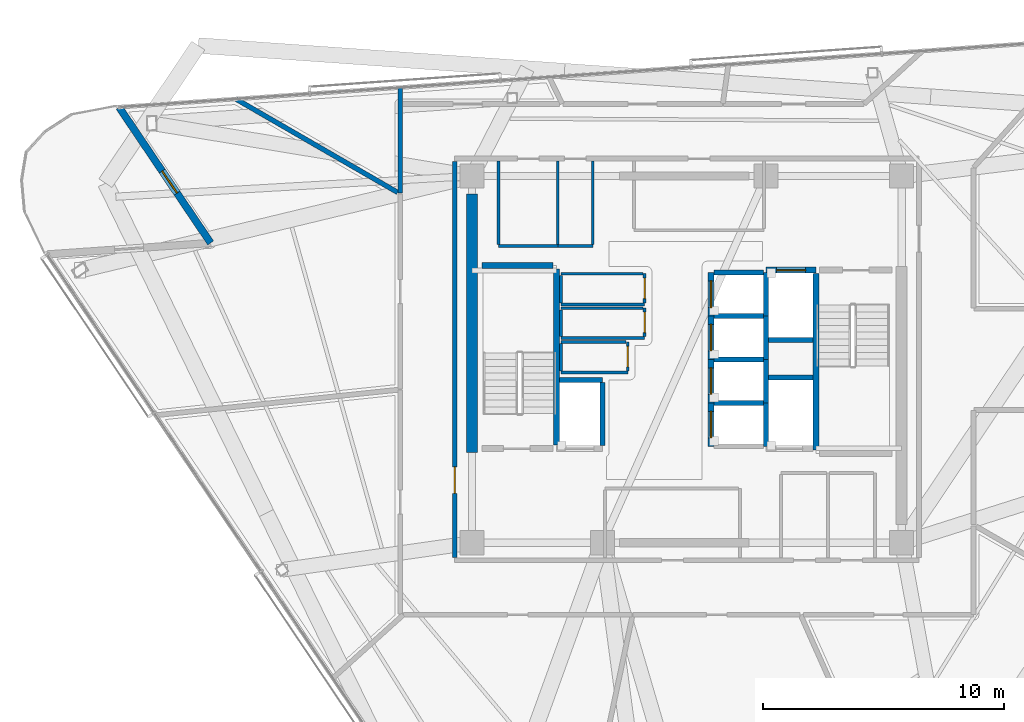
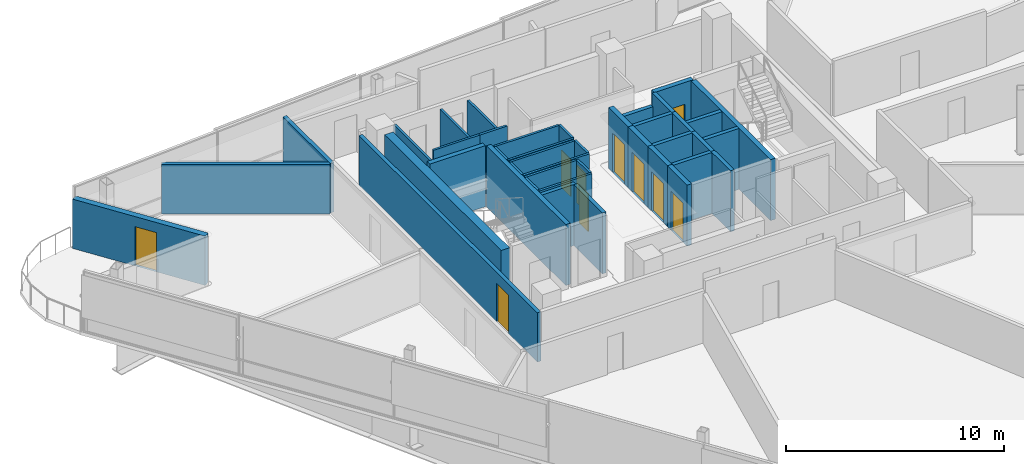
# One storey, part 11 of 17: 42 walls, 10 doors, 10 openings.
"""IFC4 building model written with IfcOpenShell, lengths in metres."""

from ifc_helpers import new_model, si_unit, direction, frame, frame_2d, origin, place, context, subcontext, project, spatial, rectangle, extrude, material, layer, layer_set, type_object, element, fill, save


model = new_model("IFC4")

# Units and contexts
model_context = context("Model", 3, precision=1e-05, world=origin(), true_north=direction((0.0, 1.0)))
body_context = subcontext(model_context, "Body", "Model", "MODEL_VIEW")
ifc_project = project(units=[si_unit("LENGTHUNIT", "METRE"), si_unit("AREAUNIT", "SQUARE_METRE"), si_unit("VOLUMEUNIT", "CUBIC_METRE"), si_unit("PLANEANGLEUNIT", "RADIAN"), si_unit("MASSUNIT", "GRAM", prefix="KILO")], contexts=[model_context])

# Site, building, storey
site_placement = place(None, origin())
site = spatial("IfcSite", under=ifc_project, at=site_placement, CompositionType="ELEMENT")
building_placement = place(site_placement, origin())
building = spatial("IfcBuilding", under=site, at=building_placement, Name="Tharavind Bronze Gate", CompositionType="ELEMENT")
storey_placement = place(building_placement, frame((0.0, 0.0, 253.39990234375)))
storey = spatial("IfcBuildingStorey", under=building, at=storey_placement, Name="L65", CompositionType="ELEMENT", Elevation=253.39990234375)

# Wall, opening, door
ifc_material_1 = material(Name="Concrete C40/50", Category="concrete")
ifc_layer_1 = layer(ifc_material_1, 0.300048828125)
ifc_layer_set_1 = layer_set([ifc_layer_1], Name="Concrete C40/50")
wall_type_1 = type_object("IfcWallType", Name="EXTERIOR SPANDREL WALL 300", PredefinedType="STANDARD", material=ifc_layer_set_1)
wall_1_placement = place(storey_placement, frame((-23.52587890625, 10.446044921875, 0.0), z_axis=(0.0, 0.0, 1.0), x_axis=(0.559187716425, -0.829041071238, 0.0)))
wall_1 = element("IfcWall", 1, at=wall_1_placement, inside=storey, type_object=wall_type_1, Name="L65 notch cheek wall 1A", PredefinedType="STANDARD", context=body_context, shape_type="SweptSolid", body=[
    extrude(rectangle(XDim=6.780029296875, YDim=0.300048828125, at=frame_2d((3.39013671875, 0.0))), origin(), (0.0, 0.0, 1.0), 2.76513671875),
])
opening_1_placement = place(wall_1_placement, frame((3.18603515625, 0.0, 0.0)))
opening_1 = element("IfcOpeningElement", 2, at=opening_1_placement, cuts=wall_1, Name="Opening ED04", PredefinedType="OPENING", context=body_context, shape_type="SweptSolid", body=[
    extrude(rectangle(XDim=1.10009765625, YDim=2.199951171875, at=frame_2d((0.550048828125, 1.10009765625))), frame((0.0, 0.15990234375, 0.0), z_axis=(0.0, -1.0, 0.0), x_axis=(1.0, 0.0, 0.0)), (0.0, 0.0, 1.0), 0.320048828125),
])
ifc_material_2 = material(Name="Bronze Aluminium & Toughened Glass", Category="aluminium")
door_type_1 = type_object("IfcDoorType", Name="TREE BALCONY ACCESS DOOR 1100X2200", OperationType="SINGLE_SWING_LEFT", PredefinedType="DOOR", material=ifc_material_2)
door_1_placement = place(opening_1_placement, frame((1.10009765625, 0.0, 0.0), z_axis=(0.0, 0.0, 1.0), x_axis=(-1.0, 0.0, 0.0)))
door_1 = element("IfcDoor", 3, at=door_1_placement, inside=storey, type_object=door_type_1, Name="L65 tree balcony access door", OperationType="SINGLE_SWING_LEFT", OverallHeight=2.199951171875, OverallWidth=1.10009765625, PredefinedType="DOOR", context=body_context, shape_type="SweptSolid", body=[
    extrude(rectangle(XDim=1.10009765625, YDim=2.199951171875, at=frame_2d((0.550048828125, 1.10009765625))), frame((0.0, 0.02490234375, 0.0), z_axis=(0.0, -1.0, 0.0), x_axis=(1.0, 0.0, 0.0)), (0.0, 0.0, 1.0), 0.050048828125),
])
fill(opening_1, door_1)

ifc_material_3 = material(Name="Aerated Concrete Block", Category="concrete")
ifc_layer_2 = layer(ifc_material_3, 0.199951171875)
ifc_layer_set_2 = layer_set([ifc_layer_2], Name="Aerated Concrete Block")
wall_type_2 = type_object("IfcWallType", Name="FIRE RATED PARTITION 200", PredefinedType="PARTITIONING", material=ifc_layer_set_2)
wall_2_placement = place(storey_placement, frame((-9.6201171875, 8.199951171875, 0.0), z_axis=(0.0, 0.0, 1.0), x_axis=(0.0, -1.0, 0.0)))
wall_2 = element("IfcWall", 4, at=wall_2_placement, inside=storey, type_object=wall_type_2, Name="L65 west core corridor wall", PredefinedType="PARTITIONING", context=body_context, shape_type="SweptSolid", body=[
    extrude(rectangle(XDim=16.39990234375, YDim=0.199951171875, at=frame_2d((8.199951171875, 0.0))), origin(), (0.0, 0.0, 1.0), 2.76513671875),
])
opening_2_placement = place(wall_2_placement, frame((12.64990234375, 0.0, 0.0)))
opening_2 = element("IfcOpeningElement", 5, at=opening_2_placement, cuts=wall_2, Name="Opening ID01", PredefinedType="OPENING", context=body_context, shape_type="SweptSolid", body=[
    extrude(rectangle(XDim=1.10009765625, YDim=2.14990234375, at=frame_2d((0.550048828125, 1.074951171875))), frame((0.0, 0.11009765625, 0.0), z_axis=(0.0, -1.0, 0.0), x_axis=(1.0, 0.0, 0.0)), (0.0, 0.0, 1.0), 0.219951171875),
])
ifc_material_4 = material(Name="Fire-Rated Steel", Category="steel")
door_type_2 = type_object("IfcDoorType", Name="STAIR CORE FIRE DOOR 1100X2150", OperationType="SINGLE_SWING_LEFT", PredefinedType="DOOR", material=ifc_material_4)
door_2_placement = place(opening_2_placement, frame((1.10009765625, 0.0, 0.0), z_axis=(0.0, 0.0, 1.0), x_axis=(-1.0, 0.0, 0.0)))
door_2 = element("IfcDoor", 6, at=door_2_placement, inside=storey, type_object=door_type_2, Name="L65 south west stair lobby fire door", OperationType="SINGLE_SWING_LEFT", OverallHeight=2.14990234375, OverallWidth=1.10009765625, PredefinedType="DOOR", context=body_context, shape_type="SweptSolid", body=[
    extrude(rectangle(XDim=1.10009765625, YDim=2.14990234375, at=frame_2d((0.550048828125, 1.074951171875))), frame((0.0, 0.02490234375, 0.0), z_axis=(0.0, -1.0, 0.0), x_axis=(1.0, 0.0, 0.0)), (0.0, 0.0, 1.0), 0.050048828125),
])
fill(opening_2, door_2)

# Walls
wall_3_placement = place(storey_placement, frame((-11.8798828125, 11.260498046875, 0.0), z_axis=(0.0, 0.0, 1.0), x_axis=(0.0, -1.0, 0.0)))
element("IfcWall", 7, at=wall_3_placement, inside=storey, type_object=wall_type_2, Name="L65 Strategy Seminar Room partition", PredefinedType="PARTITIONING", context=body_context, shape_type="SweptSolid", body=[
    extrude(rectangle(XDim=4.3583984375, YDim=0.199951171875, at=frame_2d((2.17919921875, 0.0))), origin(), (0.0, 0.0, 1.0), 2.76513671875),
])
wall_4_placement = place(storey_placement, frame((-11.985107421875, 6.919677734375, 0.0), z_axis=(0.0, 0.0, 1.0), x_axis=(-0.866026758741, 0.499997653139, 0.0)))
element("IfcWall", 8, at=wall_4_placement, inside=storey, type_object=wall_type_2, Name="L65 Strategy Seminar Room partition", PredefinedType="PARTITIONING", context=body_context, shape_type="SweptSolid", body=[
    extrude(rectangle(XDim=7.73046875, YDim=0.199951171875, at=frame_2d((3.865234375, 0.0))), origin(), (0.0, 0.0, 1.0), 2.76513671875),
])
ifc_material_5 = material(Name="Metal Stud Gypsum Partition", Category="gypsum")
ifc_layer_3 = layer(ifc_material_5, 0.1201171875)
ifc_layer_set_3 = layer_set([ifc_layer_3], Name="Metal Stud Gypsum Partition")
wall_type_3 = type_object("IfcWallType", Name="INTERIOR PARTITION WALL 120", PredefinedType="PARTITIONING", material=ifc_layer_set_3)
wall_5_placement = place(storey_placement, frame((-5.219970703125, 2.280029296875, 0.0), z_axis=(0.0, 0.0, 1.0), x_axis=(1.0, 0.0, 0.0)))
element("IfcWall", 9, at=wall_5_placement, inside=storey, type_object=wall_type_3, Name="L65 Housekeeping Linen Store partition 1", PredefinedType="PARTITIONING", context=body_context, shape_type="SweptSolid", body=[
    extrude(rectangle(XDim=3.469970703125, YDim=0.1201171875, at=frame_2d((1.73486328125, 0.0))), origin(), (0.0, 0.0, 1.0), 3.420166015625),
])

# Wall, opening, door
wall_6_placement = place(storey_placement, frame((-1.75, 2.344970703125, 0.0), z_axis=(0.0, 0.0, 1.0), x_axis=(0.0, 1.0, 0.0)))
wall_6 = element("IfcWall", 10, at=wall_6_placement, inside=storey, type_object=wall_type_3, Name="L65 Housekeeping Linen Store partition 2", PredefinedType="PARTITIONING", context=body_context, shape_type="SweptSolid", body=[
    extrude(rectangle(XDim=1.205078125, YDim=0.1201171875, at=frame_2d((0.6025390625, 0.0))), origin(), (0.0, 0.0, 1.0), 3.420166015625),
])
opening_3_placement = place(wall_6_placement, frame((0.177001953125, 0.0, 0.0)))
opening_3 = element("IfcOpeningElement", 11, at=opening_3_placement, cuts=wall_6, Name="Opening ID06", PredefinedType="OPENING", context=body_context, shape_type="SweptSolid", body=[
    extrude(rectangle(XDim=0.85009765625, YDim=2.10009765625, at=frame_2d((0.425048828125, 1.050048828125))), frame((0.0, 0.07005859375, 0.0), z_axis=(0.0, -1.0, 0.0), x_axis=(1.0, 0.0, 0.0)), (0.0, 0.0, 1.0), 0.1401171875),
])
ifc_material_6 = material(Name="Moisture-Resistant Timber", Category="wood")
door_type_3 = type_object("IfcDoorType", Name="BATHROOM PRIVACY DOOR 850X2100", OperationType="SINGLE_SWING_RIGHT", PredefinedType="DOOR", material=ifc_material_6)
door_3_placement = place(opening_3_placement, frame((0.85009765625, 0.0, 0.0), z_axis=(0.0, 0.0, 1.0), x_axis=(-1.0, 0.0, 0.0)))
door_3 = element("IfcDoor", 12, at=door_3_placement, inside=storey, type_object=door_type_3, Name="L65 Housekeeping Linen Store door", OperationType="SINGLE_SWING_RIGHT", OverallHeight=2.10009765625, OverallWidth=0.85009765625, PredefinedType="DOOR", context=body_context, shape_type="SweptSolid", body=[
    extrude(rectangle(XDim=0.85009765625, YDim=2.10009765625, at=frame_2d((0.425048828125, 1.050048828125))), frame((0.0, 0.02490234375, 0.0), z_axis=(0.0, -1.0, 0.0), x_axis=(1.0, 0.0, 0.0)), (0.0, 0.0, 1.0), 0.050048828125),
])
fill(opening_3, door_3)

# Walls
wall_7_placement = place(storey_placement, frame((-1.81494140625, 3.550048828125, 0.0), z_axis=(0.0, 0.0, 1.0), x_axis=(-1.0, 0.0, 0.0)))
element("IfcWall", 13, at=wall_7_placement, inside=storey, type_object=wall_type_3, Name="L65 Housekeeping Linen Store partition 3", PredefinedType="PARTITIONING", context=body_context, shape_type="SweptSolid", body=[
    extrude(rectangle(XDim=3.405029296875, YDim=0.1201171875, at=frame_2d((1.70263671875, 0.0))), origin(), (0.0, 0.0, 1.0), 3.420166015625),
])
wall_8_placement = place(storey_placement, frame((-5.219970703125, 3.485107421875, 0.0), z_axis=(0.0, 0.0, 1.0), x_axis=(0.0, -1.0, 0.0)))
element("IfcWall", 14, at=wall_8_placement, inside=storey, type_object=wall_type_3, Name="L65 Housekeeping Linen Store partition 4", PredefinedType="PARTITIONING", context=body_context, shape_type="SweptSolid", body=[
    extrude(rectangle(XDim=1.14013671875, YDim=0.1201171875, at=frame_2d((0.570068359375, 0.0))), origin(), (0.0, 0.0, 1.0), 3.420166015625),
])
wall_9_placement = place(storey_placement, frame((-5.219970703125, 0.8798828125, 0.0), z_axis=(0.0, 0.0, 1.0), x_axis=(1.0, 0.0, 0.0)))
element("IfcWall", 15, at=wall_9_placement, inside=storey, type_object=wall_type_3, Name="L65 Comms Data Room partition 1", PredefinedType="PARTITIONING", context=body_context, shape_type="SweptSolid", body=[
    extrude(rectangle(XDim=3.469970703125, YDim=0.1201171875, at=frame_2d((1.73486328125, 0.0))), origin(), (0.0, 0.0, 1.0), 3.420166015625),
])

# Wall, opening, door
wall_10_placement = place(storey_placement, frame((-1.75, 0.945068359375, 0.0), z_axis=(0.0, 0.0, 1.0), x_axis=(0.0, 1.0, 0.0)))
wall_10 = element("IfcWall", 16, at=wall_10_placement, inside=storey, type_object=wall_type_3, Name="L65 Comms Data Room partition 2", PredefinedType="PARTITIONING", context=body_context, shape_type="SweptSolid", body=[
    extrude(rectangle(XDim=1.175048828125, YDim=0.1201171875, at=frame_2d((0.58740234375, 0.0))), origin(), (0.0, 0.0, 1.0), 3.420166015625),
])
opening_4_placement = place(wall_10_placement, frame((0.1630859375, 0.0, 0.0)))
opening_4 = element("IfcOpeningElement", 17, at=opening_4_placement, cuts=wall_10, Name="Opening ID06", PredefinedType="OPENING", context=body_context, shape_type="SweptSolid", body=[
    extrude(rectangle(XDim=0.85009765625, YDim=2.10009765625, at=frame_2d((0.425048828125, 1.050048828125))), frame((0.0, 0.07005859375, 0.0), z_axis=(0.0, -1.0, 0.0), x_axis=(1.0, 0.0, 0.0)), (0.0, 0.0, 1.0), 0.1401171875),
])
door_4_placement = place(opening_4_placement, frame((0.85009765625, 0.0, 0.0), z_axis=(0.0, 0.0, 1.0), x_axis=(-1.0, 0.0, 0.0)))
door_4 = element("IfcDoor", 18, at=door_4_placement, inside=storey, type_object=door_type_3, Name="L65 Comms Data Room door", OperationType="SINGLE_SWING_RIGHT", OverallHeight=2.10009765625, OverallWidth=0.85009765625, PredefinedType="DOOR", context=body_context, shape_type="SweptSolid", body=[
    extrude(rectangle(XDim=0.85009765625, YDim=2.10009765625, at=frame_2d((0.425048828125, 1.050048828125))), frame((0.0, 0.02490234375, 0.0), z_axis=(0.0, -1.0, 0.0), x_axis=(1.0, 0.0, 0.0)), (0.0, 0.0, 1.0), 0.050048828125),
])
fill(opening_4, door_4)

# Walls
wall_11_placement = place(storey_placement, frame((-1.81494140625, 2.1201171875, 0.0), z_axis=(0.0, 0.0, 1.0), x_axis=(-1.0, 0.0, 0.0)))
element("IfcWall", 19, at=wall_11_placement, inside=storey, type_object=wall_type_3, Name="L65 Comms Data Room partition 3", PredefinedType="PARTITIONING", context=body_context, shape_type="SweptSolid", body=[
    extrude(rectangle(XDim=3.405029296875, YDim=0.1201171875, at=frame_2d((1.70263671875, 0.0))), origin(), (0.0, 0.0, 1.0), 3.420166015625),
])
wall_12_placement = place(storey_placement, frame((-5.219970703125, 2.054931640625, 0.0), z_axis=(0.0, 0.0, 1.0), x_axis=(0.0, -1.0, 0.0)))
element("IfcWall", 20, at=wall_12_placement, inside=storey, type_object=wall_type_3, Name="L65 Comms Data Room partition 4", PredefinedType="PARTITIONING", context=body_context, shape_type="SweptSolid", body=[
    extrude(rectangle(XDim=1.10986328125, YDim=0.1201171875, at=frame_2d((0.554931640625, 0.0))), origin(), (0.0, 0.0, 1.0), 3.420166015625),
])
wall_13_placement = place(storey_placement, frame((-5.219970703125, -0.550048828125, 0.0), z_axis=(0.0, 0.0, 1.0), x_axis=(1.0, 0.0, 0.0)))
element("IfcWall", 21, at=wall_13_placement, inside=storey, type_object=wall_type_3, Name="L65 Electrical Metering Store partition 1", PredefinedType="PARTITIONING", context=body_context, shape_type="SweptSolid", body=[
    extrude(rectangle(XDim=2.77001953125, YDim=0.1201171875, at=frame_2d((1.385009765625, 0.0))), origin(), (0.0, 0.0, 1.0), 3.420166015625),
])

# Wall, opening, door
wall_14_placement = place(storey_placement, frame((-2.449951171875, -0.485107421875, 0.0), z_axis=(0.0, 0.0, 1.0), x_axis=(0.0, 1.0, 0.0)))
wall_14 = element("IfcWall", 22, at=wall_14_placement, inside=storey, type_object=wall_type_3, Name="L65 Electrical Metering Store partition 2", PredefinedType="PARTITIONING", context=body_context, shape_type="SweptSolid", body=[
    extrude(rectangle(XDim=1.205078125, YDim=0.1201171875, at=frame_2d((0.6025390625, 0.0))), origin(), (0.0, 0.0, 1.0), 3.420166015625),
])
opening_5_placement = place(wall_14_placement, frame((0.177978515625, 0.0, 0.0)))
opening_5 = element("IfcOpeningElement", 23, at=opening_5_placement, cuts=wall_14, Name="Opening ID06", PredefinedType="OPENING", context=body_context, shape_type="SweptSolid", body=[
    extrude(rectangle(XDim=0.85009765625, YDim=2.10009765625, at=frame_2d((0.425048828125, 1.050048828125))), frame((0.0, 0.07005859375, 0.0), z_axis=(0.0, -1.0, 0.0), x_axis=(1.0, 0.0, 0.0)), (0.0, 0.0, 1.0), 0.1401171875),
])
door_5_placement = place(opening_5_placement, frame((0.85009765625, 0.0, 0.0), z_axis=(0.0, 0.0, 1.0), x_axis=(-1.0, 0.0, 0.0)))
door_5 = element("IfcDoor", 24, at=door_5_placement, inside=storey, type_object=door_type_3, Name="L65 Electrical Metering Store door", OperationType="SINGLE_SWING_RIGHT", OverallHeight=2.10009765625, OverallWidth=0.85009765625, PredefinedType="DOOR", context=body_context, shape_type="SweptSolid", body=[
    extrude(rectangle(XDim=0.85009765625, YDim=2.10009765625, at=frame_2d((0.425048828125, 1.050048828125))), frame((0.0, 0.02490234375, 0.0), z_axis=(0.0, -1.0, 0.0), x_axis=(1.0, 0.0, 0.0)), (0.0, 0.0, 1.0), 0.050048828125),
])
fill(opening_5, door_5)

# Walls
wall_15_placement = place(storey_placement, frame((-2.514892578125, 0.719970703125, 0.0), z_axis=(0.0, 0.0, 1.0), x_axis=(-1.0, 0.0, 0.0)))
element("IfcWall", 25, at=wall_15_placement, inside=storey, type_object=wall_type_3, Name="L65 Electrical Metering Store partition 3", PredefinedType="PARTITIONING", context=body_context, shape_type="SweptSolid", body=[
    extrude(rectangle(XDim=2.705078125, YDim=0.1201171875, at=frame_2d((1.3525390625, 0.0))), origin(), (0.0, 0.0, 1.0), 3.420166015625),
])
wall_16_placement = place(storey_placement, frame((-5.219970703125, 0.655029296875, 0.0), z_axis=(0.0, 0.0, 1.0), x_axis=(0.0, -1.0, 0.0)))
element("IfcWall", 26, at=wall_16_placement, inside=storey, type_object=wall_type_3, Name="L65 Electrical Metering Store partition 4", PredefinedType="PARTITIONING", context=body_context, shape_type="SweptSolid", body=[
    extrude(rectangle(XDim=1.14013671875, YDim=0.1201171875, at=frame_2d((0.570068359375, 0.0))), origin(), (0.0, 0.0, 1.0), 3.420166015625),
])
wall_17_placement = place(storey_placement, frame((-7.800048828125, 4.699951171875, 0.0), z_axis=(0.0, 0.0, 1.0), x_axis=(1.0, 0.0, 0.0)))
element("IfcWall", 27, at=wall_17_placement, inside=storey, type_object=wall_type_3, Name="L65 Electrical Metering Room partition 1", PredefinedType="PARTITIONING", context=body_context, shape_type="SweptSolid", body=[
    extrude(rectangle(XDim=2.449951171875, YDim=0.1201171875, at=frame_2d((1.22509765625, 0.0))), origin(), (0.0, 0.0, 1.0), 3.420166015625),
])
for number, where, z_axis, x_axis, name in (
    (28, (-5.35009765625, 4.764892578125, 0.0), (0.0, 0.0, 1.0), (0.0, 1.0, 0.0), "L65 Electrical Metering Room partition 2"),
    (29, (-7.800048828125, 8.215087890625, 0.0), (0.0, 0.0, 1.0), (0.0, -1.0, 0.0), "L65 Electrical Metering Room partition 4"),
):
    element("IfcWall", number, at=place(storey_placement, frame(where, z_axis=z_axis, x_axis=x_axis)), inside=storey, type_object=wall_type_3, Name=name, PredefinedType="PARTITIONING", context=body_context, shape_type="SweptSolid", body=[
        extrude(rectangle(XDim=3.4501953125, YDim=0.1201171875, at=frame_2d((1.72509765625, 0.0))), origin(), (0.0, 0.0, 1.0), 2.715087890625),
    ])
wall_18_placement = place(storey_placement, frame((-5.35009765625, 4.699951171875, 0.0), z_axis=(0.0, 0.0, 1.0), x_axis=(1.0, 0.0, 0.0)))
element("IfcWall", 30, at=wall_18_placement, inside=storey, type_object=wall_type_3, Name="L65 Linen Cupboard partition 1", PredefinedType="PARTITIONING", context=body_context, shape_type="SweptSolid", body=[
    extrude(rectangle(XDim=1.4501953125, YDim=0.1201171875, at=frame_2d((0.72509765625, 0.0))), origin(), (0.0, 0.0, 1.0), 3.420166015625),
])
wall_19_placement = place(storey_placement, frame((-3.89990234375, 4.764892578125, 0.0), z_axis=(0.0, 0.0, 1.0), x_axis=(0.0, 1.0, 0.0)))
element("IfcWall", 31, at=wall_19_placement, inside=storey, type_object=wall_type_3, Name="L65 Linen Cupboard partition 2", PredefinedType="PARTITIONING", context=body_context, shape_type="SweptSolid", body=[
    extrude(rectangle(XDim=3.4501953125, YDim=0.1201171875, at=frame_2d((1.72509765625, 0.0))), origin(), (0.0, 0.0, 1.0), 2.715087890625),
])
ifc_material_7 = material(Name="Concrete C50/60", Category="concrete")
ifc_layer_4 = layer(ifc_material_7, 0.25)
ifc_layer_set_4 = layer_set([ifc_layer_4], Name="Concrete C50/60")
wall_type_4 = type_object("IfcWallType", Name="RC CORE SHEAR WALL 250", PredefinedType="SHEAR", material=ifc_layer_set_4)
wall_20_placement = place(storey_placement, frame((-5.39990234375, -3.550048828125, 0.0), z_axis=(0.0, 0.0, 1.0), x_axis=(0.0, 1.0, 0.0)))
element("IfcWall", 32, at=wall_20_placement, inside=storey, type_object=wall_type_4, Name="L65 ST1 shaft east wall", PredefinedType="SHEAR", context=body_context, shape_type="SweptSolid", body=[
    extrude(rectangle(XDim=7.300048828125, YDim=0.25, at=frame_2d((3.64990234375, 0.0))), origin(), (0.0, 0.0, 1.0), 3.420166015625),
])
wall_21_placement = place(storey_placement, frame((-8.5, 3.89990234375, 0.0), z_axis=(0.0, 0.0, 1.0), x_axis=(1.0, 0.0, 0.0)))
element("IfcWall", 33, at=wall_21_placement, inside=storey, type_object=wall_type_4, Name="L65 ST1 shaft north wall", PredefinedType="SHEAR", context=body_context, shape_type="SweptSolid", body=[
    extrude(rectangle(XDim=2.949951171875, YDim=0.25, at=frame_2d((1.47509765625, 0.0))), origin(), (0.0, 0.0, 1.0), 3.420166015625),
])
wall_22_placement = place(storey_placement, frame((5.35009765625, -3.75, 0.0), z_axis=(0.0, 0.0, 1.0), x_axis=(0.0, 1.0, 0.0)))
element("IfcWall", 34, at=wall_22_placement, inside=storey, type_object=wall_type_4, Name="L65 ST2 shaft west wall", PredefinedType="SHEAR", context=body_context, shape_type="SweptSolid", body=[
    extrude(rectangle(XDim=7.300048828125, YDim=0.25, at=frame_2d((3.64990234375, 0.0))), origin(), (0.0, 0.0, 1.0), 3.420166015625),
])

# Wall, opening, door
wall_23_placement = place(storey_placement, frame((1.0, -3.60009765625, 0.0), z_axis=(0.0, 0.0, 1.0), x_axis=(0.0, 1.0, 0.0)))
wall_23 = element("IfcWall", 35, at=wall_23_placement, inside=storey, type_object=wall_type_4, Name="L65 lift PL9 shaft front wall", PredefinedType="SHEAR", context=body_context, shape_type="SweptSolid", body=[
    extrude(rectangle(XDim=1.800048828125, YDim=0.25, at=frame_2d((0.89990234375, 0.0))), origin(), (0.0, 0.0, 1.0), 3.420166015625),
])
opening_6_placement = place(wall_23_placement, frame((0.35009765625, 0.0, 0.0)))
opening_6 = element("IfcOpeningElement", 36, at=opening_6_placement, cuts=wall_23, Name="Opening LD01", PredefinedType="OPENING", context=body_context, shape_type="SweptSolid", body=[
    extrude(rectangle(XDim=1.10009765625, YDim=2.199951171875, at=frame_2d((0.550048828125, 1.10009765625))), frame((0.0, 0.135, 0.0), z_axis=(0.0, -1.0, 0.0), x_axis=(1.0, 0.0, 0.0)), (0.0, 0.0, 1.0), 0.27),
])
ifc_material_8 = material(Name="Brushed Bronze Stainless Steel", Category="steel")
door_type_4 = type_object("IfcDoorType", Name="LIFT LANDING SLIDING DOOR 1100X2200", OperationType="SLIDING_TO_LEFT", PredefinedType="DOOR", material=ifc_material_8)
door_6_placement = place(opening_6_placement, origin())
door_6 = element("IfcDoor", 37, at=door_6_placement, inside=storey, type_object=door_type_4, Name="L65 lift PL9 sliding landing door", OperationType="SLIDING_TO_LEFT", OverallHeight=2.199951171875, OverallWidth=1.10009765625, PredefinedType="DOOR", context=body_context, shape_type="SweptSolid", body=[
    extrude(rectangle(XDim=1.10009765625, YDim=2.199951171875, at=frame_2d((0.550048828125, 1.10009765625))), frame((0.0, 0.02490234375, 0.0), z_axis=(0.0, -1.0, 0.0), x_axis=(1.0, 0.0, 0.0)), (0.0, 0.0, 1.0), 0.050048828125),
])
fill(opening_6, door_6)

wall_24_placement = place(storey_placement, frame((1.0, -1.800048828125, 0.0), z_axis=(0.0, 0.0, 1.0), x_axis=(0.0, 1.0, 0.0)))
wall_24 = element("IfcWall", 38, at=wall_24_placement, inside=storey, type_object=wall_type_4, Name="L65 lift PL10 shaft front wall", PredefinedType="SHEAR", context=body_context, shape_type="SweptSolid", body=[
    extrude(rectangle(XDim=1.800048828125, YDim=0.25, at=frame_2d((0.89990234375, 0.0))), origin(), (0.0, 0.0, 1.0), 3.420166015625),
])
opening_7_placement = place(wall_24_placement, frame((0.35009765625, 0.0, 0.0)))
opening_7 = element("IfcOpeningElement", 39, at=opening_7_placement, cuts=wall_24, Name="Opening LD01", PredefinedType="OPENING", context=body_context, shape_type="SweptSolid", body=[
    extrude(rectangle(XDim=1.10009765625, YDim=2.199951171875, at=frame_2d((0.550048828125, 1.10009765625))), frame((0.0, 0.135, 0.0), z_axis=(0.0, -1.0, 0.0), x_axis=(1.0, 0.0, 0.0)), (0.0, 0.0, 1.0), 0.27),
])
door_7_placement = place(opening_7_placement, origin())
door_7 = element("IfcDoor", 40, at=door_7_placement, inside=storey, type_object=door_type_4, Name="L65 lift PL10 sliding landing door", OperationType="SLIDING_TO_LEFT", OverallHeight=2.199951171875, OverallWidth=1.10009765625, PredefinedType="DOOR", context=body_context, shape_type="SweptSolid", body=[
    extrude(rectangle(XDim=1.10009765625, YDim=2.199951171875, at=frame_2d((0.550048828125, 1.10009765625))), frame((0.0, 0.02490234375, 0.0), z_axis=(0.0, -1.0, 0.0), x_axis=(1.0, 0.0, 0.0)), (0.0, 0.0, 1.0), 0.050048828125),
])
fill(opening_7, door_7)

wall_25_placement = place(storey_placement, frame((1.0, 0.0, 0.0), z_axis=(0.0, 0.0, 1.0), x_axis=(0.0, 1.0, 0.0)))
wall_25 = element("IfcWall", 41, at=wall_25_placement, inside=storey, type_object=wall_type_4, Name="L65 lift PL11 shaft front wall", PredefinedType="SHEAR", context=body_context, shape_type="SweptSolid", body=[
    extrude(rectangle(XDim=1.800048828125, YDim=0.25, at=frame_2d((0.89990234375, 0.0))), origin(), (0.0, 0.0, 1.0), 3.420166015625),
])
opening_8_placement = place(wall_25_placement, frame((0.35009765625, 0.0, 0.0)))
opening_8 = element("IfcOpeningElement", 42, at=opening_8_placement, cuts=wall_25, Name="Opening LD01", PredefinedType="OPENING", context=body_context, shape_type="SweptSolid", body=[
    extrude(rectangle(XDim=1.10009765625, YDim=2.199951171875, at=frame_2d((0.550048828125, 1.10009765625))), frame((0.0, 0.135, 0.0), z_axis=(0.0, -1.0, 0.0), x_axis=(1.0, 0.0, 0.0)), (0.0, 0.0, 1.0), 0.27),
])
door_8_placement = place(opening_8_placement, origin())
door_8 = element("IfcDoor", 43, at=door_8_placement, inside=storey, type_object=door_type_4, Name="L65 lift PL11 sliding landing door", OperationType="SLIDING_TO_LEFT", OverallHeight=2.199951171875, OverallWidth=1.10009765625, PredefinedType="DOOR", context=body_context, shape_type="SweptSolid", body=[
    extrude(rectangle(XDim=1.10009765625, YDim=2.199951171875, at=frame_2d((0.550048828125, 1.10009765625))), frame((0.0, 0.02490234375, 0.0), z_axis=(0.0, -1.0, 0.0), x_axis=(1.0, 0.0, 0.0)), (0.0, 0.0, 1.0), 0.050048828125),
])
fill(opening_8, door_8)

wall_26_placement = place(storey_placement, frame((1.0, 1.800048828125, 0.0), z_axis=(0.0, 0.0, 1.0), x_axis=(0.0, 1.0, 0.0)))
wall_26 = element("IfcWall", 44, at=wall_26_placement, inside=storey, type_object=wall_type_4, Name="L65 lift PL12 shaft front wall", PredefinedType="SHEAR", context=body_context, shape_type="SweptSolid", body=[
    extrude(rectangle(XDim=1.800048828125, YDim=0.25, at=frame_2d((0.89990234375, 0.0))), origin(), (0.0, 0.0, 1.0), 3.420166015625),
])
opening_9_placement = place(wall_26_placement, frame((0.35009765625, 0.0, 0.0)))
opening_9 = element("IfcOpeningElement", 45, at=opening_9_placement, cuts=wall_26, Name="Opening LD01", PredefinedType="OPENING", context=body_context, shape_type="SweptSolid", body=[
    extrude(rectangle(XDim=1.10009765625, YDim=2.199951171875, at=frame_2d((0.550048828125, 1.10009765625))), frame((0.0, 0.135, 0.0), z_axis=(0.0, -1.0, 0.0), x_axis=(1.0, 0.0, 0.0)), (0.0, 0.0, 1.0), 0.27),
])
door_9_placement = place(opening_9_placement, origin())
door_9 = element("IfcDoor", 46, at=door_9_placement, inside=storey, type_object=door_type_4, Name="L65 lift PL12 sliding landing door", OperationType="SLIDING_TO_LEFT", OverallHeight=2.199951171875, OverallWidth=1.10009765625, PredefinedType="DOOR", context=body_context, shape_type="SweptSolid", body=[
    extrude(rectangle(XDim=1.10009765625, YDim=2.199951171875, at=frame_2d((0.550048828125, 1.10009765625))), frame((0.0, 0.02490234375, 0.0), z_axis=(0.0, -1.0, 0.0), x_axis=(1.0, 0.0, 0.0)), (0.0, 0.0, 1.0), 0.050048828125),
])
fill(opening_9, door_9)

wall_27_placement = place(storey_placement, frame((3.280029296875, 3.699951171875, 0.0), z_axis=(0.0, 0.0, 1.0), x_axis=(1.0, 0.0, 0.0)))
wall_27 = element("IfcWall", 47, at=wall_27_placement, inside=storey, type_object=wall_type_4, Name="L65 lift FFL2 shaft front wall", PredefinedType="SHEAR", context=body_context, shape_type="SweptSolid", body=[
    extrude(rectangle(XDim=2.070068359375, YDim=0.25, at=frame_2d((1.03515625, 0.0))), origin(), (0.0, 0.0, 1.0), 3.420166015625),
])
opening_10_placement = place(wall_27_placement, frame((0.43505859375, 0.0, 0.0)))
opening_10 = element("IfcOpeningElement", 48, at=opening_10_placement, cuts=wall_27, Name="Opening LD02", PredefinedType="OPENING", context=body_context, shape_type="SweptSolid", body=[
    extrude(rectangle(XDim=1.199951171875, YDim=2.199951171875, at=frame_2d((0.60009765625, 1.10009765625))), frame((0.0, 0.135, 0.0), z_axis=(0.0, -1.0, 0.0), x_axis=(1.0, 0.0, 0.0)), (0.0, 0.0, 1.0), 0.27),
])
ifc_material_9 = material(Name="Brushed Stainless Steel", Category="steel")
door_type_5 = type_object("IfcDoorType", Name="FIREFIGHTING LIFT LANDING DOOR 1200X2200", OperationType="SLIDING_TO_RIGHT", PredefinedType="DOOR", material=ifc_material_9)
door_10_placement = place(opening_10_placement, origin())
door_10 = element("IfcDoor", 49, at=door_10_placement, inside=storey, type_object=door_type_5, Name="L65 lift FFL2 sliding landing door", OperationType="SLIDING_TO_RIGHT", OverallHeight=2.199951171875, OverallWidth=1.199951171875, PredefinedType="DOOR", context=body_context, shape_type="SweptSolid", body=[
    extrude(rectangle(XDim=1.199951171875, YDim=2.199951171875, at=frame_2d((0.60009765625, 1.10009765625))), frame((0.0, 0.02490234375, 0.0), z_axis=(0.0, -1.0, 0.0), x_axis=(1.0, 0.0, 0.0)), (0.0, 0.0, 1.0), 0.050048828125),
])
fill(opening_10, door_10)

# Walls
ifc_material_10 = material(Name="Concrete C60/75", Category="concrete")
ifc_layer_5 = layer(ifc_material_10, 0.449951171875)
ifc_layer_set_5 = layer_set([ifc_layer_5], Name="Concrete C60/75")
wall_type_5 = type_object("IfcWallType", Name="RC CORE SHEAR WALL 450", PredefinedType="SHEAR", material=ifc_layer_set_5)
wall_28_placement = place(storey_placement, frame((-8.89990234375, -3.85009765625, 0.0), z_axis=(0.0, 0.0, 1.0), x_axis=(0.0, 1.0, 0.0)))
element("IfcWall", 50, at=wall_28_placement, inside=storey, type_object=wall_type_5, Name="L65 west core shear wall", PredefinedType="SHEAR", context=body_context, shape_type="SweptSolid", body=[
    extrude(rectangle(XDim=10.7001953125, YDim=0.449951171875, at=frame_2d((5.35009765625, 0.0))), origin(), (0.0, 0.0, 1.0), 3.420166015625),
])
ifc_layer_6 = layer(ifc_material_1, 0.199951171875)
ifc_layer_set_6 = layer_set([ifc_layer_6], Name="Concrete C40/50")
wall_type_6 = type_object("IfcWallType", Name="SHAFT ENCLOSURE WALL 200", PredefinedType="PARTITIONING", material=ifc_layer_set_6)
wall_29_placement = place(storey_placement, frame((3.280029296875, -3.60009765625, 0.0), z_axis=(0.0, 0.0, 1.0), x_axis=(0.0, 1.0, 0.0)))
element("IfcWall", 51, at=wall_29_placement, inside=storey, type_object=wall_type_6, Name="L65 lift PL9 shaft E enclosure wall", PredefinedType="PARTITIONING", context=body_context, shape_type="SweptSolid", body=[
    extrude(rectangle(XDim=1.800048828125, YDim=0.199951171875, at=frame_2d((0.89990234375, 0.0))), origin(), (0.0, 0.0, 1.0), 3.420166015625),
])
wall_30_placement = place(storey_placement, frame((1.1298828125, -1.800048828125, 0.0), z_axis=(0.0, 0.0, 1.0), x_axis=(1.0, 0.0, 0.0)))
element("IfcWall", 52, at=wall_30_placement, inside=storey, type_object=wall_type_6, Name="L65 lift PL9 shaft N enclosure wall", PredefinedType="PARTITIONING", context=body_context, shape_type="SweptSolid", body=[
    extrude(rectangle(XDim=2.045166015625, YDim=0.199951171875, at=frame_2d((1.0224609375, 0.0))), origin(), (0.0, 0.0, 1.0), 3.420166015625),
])
wall_31_placement = place(storey_placement, frame((3.280029296875, -1.800048828125, 0.0), z_axis=(0.0, 0.0, 1.0), x_axis=(0.0, 1.0, 0.0)))
element("IfcWall", 53, at=wall_31_placement, inside=storey, type_object=wall_type_6, Name="L65 lift PL10 shaft E enclosure wall", PredefinedType="PARTITIONING", context=body_context, shape_type="SweptSolid", body=[
    extrude(rectangle(XDim=1.800048828125, YDim=0.199951171875, at=frame_2d((0.89990234375, 0.0))), origin(), (0.0, 0.0, 1.0), 3.420166015625),
])
wall_32_placement = place(storey_placement, frame((1.1298828125, 0.0, 0.0), z_axis=(0.0, 0.0, 1.0), x_axis=(1.0, 0.0, 0.0)))
element("IfcWall", 54, at=wall_32_placement, inside=storey, type_object=wall_type_6, Name="L65 lift PL10 shaft N enclosure wall", PredefinedType="PARTITIONING", context=body_context, shape_type="SweptSolid", body=[
    extrude(rectangle(XDim=2.045166015625, YDim=0.199951171875, at=frame_2d((1.0224609375, 0.0))), origin(), (0.0, 0.0, 1.0), 3.420166015625),
])
wall_33_placement = place(storey_placement, frame((3.280029296875, 0.0, 0.0), z_axis=(0.0, 0.0, 1.0), x_axis=(0.0, 1.0, 0.0)))
element("IfcWall", 55, at=wall_33_placement, inside=storey, type_object=wall_type_6, Name="L65 lift PL11 shaft E enclosure wall", PredefinedType="PARTITIONING", context=body_context, shape_type="SweptSolid", body=[
    extrude(rectangle(XDim=1.800048828125, YDim=0.199951171875, at=frame_2d((0.89990234375, 0.0))), origin(), (0.0, 0.0, 1.0), 3.420166015625),
])
wall_34_placement = place(storey_placement, frame((1.1298828125, 1.800048828125, 0.0), z_axis=(0.0, 0.0, 1.0), x_axis=(1.0, 0.0, 0.0)))
element("IfcWall", 56, at=wall_34_placement, inside=storey, type_object=wall_type_6, Name="L65 lift PL11 shaft N enclosure wall", PredefinedType="PARTITIONING", context=body_context, shape_type="SweptSolid", body=[
    extrude(rectangle(XDim=2.045166015625, YDim=0.199951171875, at=frame_2d((1.0224609375, 0.0))), origin(), (0.0, 0.0, 1.0), 3.420166015625),
])
wall_35_placement = place(storey_placement, frame((3.280029296875, 1.800048828125, 0.0), z_axis=(0.0, 0.0, 1.0), x_axis=(0.0, 1.0, 0.0)))
element("IfcWall", 57, at=wall_35_placement, inside=storey, type_object=wall_type_6, Name="L65 lift PL12 shaft E enclosure wall", PredefinedType="PARTITIONING", context=body_context, shape_type="SweptSolid", body=[
    extrude(rectangle(XDim=1.800048828125, YDim=0.199951171875, at=frame_2d((0.89990234375, 0.0))), origin(), (0.0, 0.0, 1.0), 3.420166015625),
])
wall_36_placement = place(storey_placement, frame((1.1298828125, 3.60009765625, 0.0), z_axis=(0.0, 0.0, 1.0), x_axis=(1.0, 0.0, 0.0)))
element("IfcWall", 58, at=wall_36_placement, inside=storey, type_object=wall_type_6, Name="L65 lift PL12 shaft N enclosure wall", PredefinedType="PARTITIONING", context=body_context, shape_type="SweptSolid", body=[
    extrude(rectangle(XDim=2.045166015625, YDim=0.199951171875, at=frame_2d((1.0224609375, 0.0))), origin(), (0.0, 0.0, 1.0), 2.715087890625),
])
wall_37_placement = place(storey_placement, frame((-5.27001953125, -0.85009765625, 0.0), z_axis=(0.0, 0.0, 1.0), x_axis=(1.0, 0.0, 0.0)))
element("IfcWall", 59, at=wall_37_placement, inside=storey, type_object=wall_type_6, Name="L65 lift FFL1 shaft N enclosure wall", PredefinedType="PARTITIONING", context=body_context, shape_type="SweptSolid", body=[
    extrude(rectangle(XDim=1.77001953125, YDim=0.199951171875, at=frame_2d((0.885009765625, 0.0))), origin(), (0.0, 0.0, 1.0), 3.420166015625),
])
wall_38_placement = place(storey_placement, frame((-3.5, -3.570068359375, 0.0), z_axis=(0.0, 0.0, 1.0), x_axis=(0.0, 1.0, 0.0)))
element("IfcWall", 60, at=wall_38_placement, inside=storey, type_object=wall_type_6, Name="L65 lift FFL1 shaft E enclosure wall", PredefinedType="PARTITIONING", context=body_context, shape_type="SweptSolid", body=[
    extrude(rectangle(XDim=2.614990234375, YDim=0.199951171875, at=frame_2d((1.3076171875, 0.0))), origin(), (0.0, 0.0, 1.0), 3.420166015625),
])
for number, where, z_axis, x_axis, name in (
    (61, (3.385009765625, 0.800048828125, 0.0), (0.0, 0.0, 1.0), (1.0, 0.0, 0.0), "L65 lift FFL2 shaft S enclosure wall"),
    (62, (3.385009765625, -0.75, 0.0), (0.0, 0.0, 1.0), (1.0, 0.0, 0.0), "L65 lift SVL1 shaft N enclosure wall"),
):
    element("IfcWall", number, at=place(storey_placement, frame(where, z_axis=z_axis, x_axis=x_axis)), inside=storey, type_object=wall_type_6, Name=name, PredefinedType="PARTITIONING", context=body_context, shape_type="SweptSolid", body=[
        extrude(rectangle(XDim=1.8349609375, YDim=0.199951171875, at=frame_2d((0.91748046875, 0.0))), origin(), (0.0, 0.0, 1.0), 3.420166015625),
    ])

save(model, "model.ifc")
